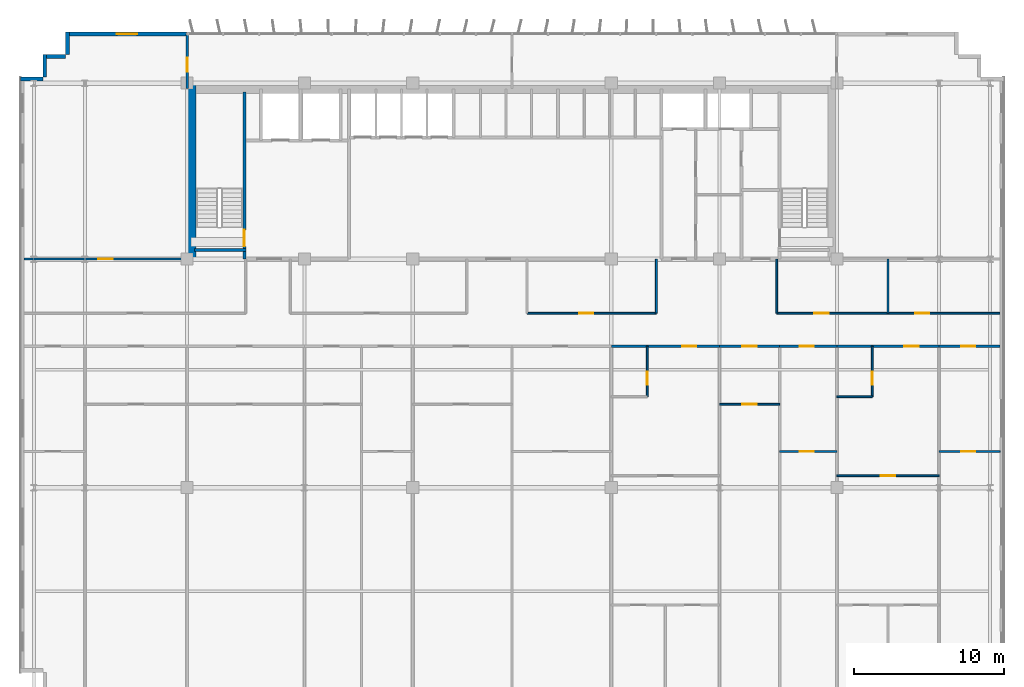
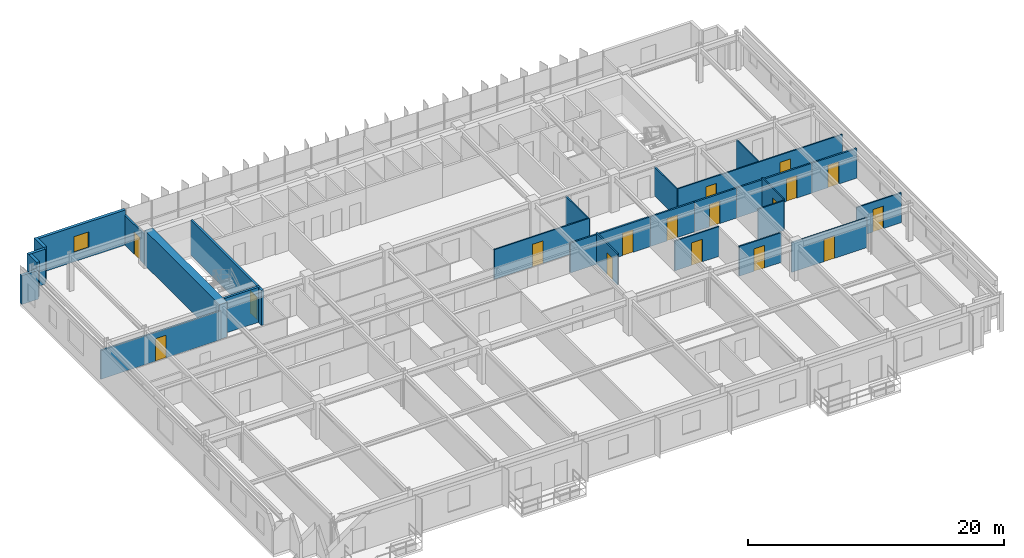
# One storey, part 16 of 21: 27 walls, 17 doors, 1 window, 18 openings.
"""IFC4 building model written with IfcOpenShell, lengths in metres."""

import ifcopenshell
import ifcopenshell.guid

model = None  # the IFC model being written
_history = None  # IfcOwnerHistory: only IFC2X3 demands one
_inside = {}  # id of a spatial element -> (the spatial element, [elements in it])
_under = {}  # id of a project, library or spatial element -> (it, [spatial elements below it])
_declared = {}  # id of a project -> (the project, [libraries it declares])
_typed = {}  # id of a type object -> (the type object, [elements of that type])
_made_of = {}  # id of a material, layer set ... -> (it, [elements and type objects made of it])


def new_model(schema):
    """Start an empty IFC model of exactly this schema.

    Asked for "IFC4X3", IfcOpenShell would pick the latest addendum, in which some entities
    have other attributes; the version numbers below select the first issue.
    IFC2X3 requires an IfcOwnerHistory on every rooted entity: one is made here for all.
    """
    global model, _history
    if schema == "IFC4X3":
        model = ifcopenshell.file(schema_version=(4, 3, 0, 0))
    else:
        model = ifcopenshell.file(schema=schema)
    _inside.clear()
    _under.clear()
    _declared.clear()
    _typed.clear()
    _made_of.clear()
    _history = None
    if model.schema == "IFC2X3":
        org = make("IfcOrganization", Name="unknown")
        user = make(
            "IfcPersonAndOrganization",
            ThePerson=make("IfcPerson", FamilyName="unknown"),
            TheOrganization=org,
        )
        app = make(
            "IfcApplication",
            ApplicationDeveloper=org,
            Version="unknown",
            ApplicationFullName="unknown",
            ApplicationIdentifier="unknown",
        )
        _history = make(
            "IfcOwnerHistory",
            OwningUser=user,
            OwningApplication=app,
            ChangeAction="ADDED",
            CreationDate=0,
        )
    return model


def make(cls, **values):
    """One entity of the class cls with the attributes given. An attribute that is None is left unset."""
    return model.create_entity(
        cls, **{name: value for name, value in values.items() if value is not None}
    )


def rooted(cls, **values):
    """An entity with a GlobalId (a new one), such as an element, a storey or a relation."""
    return make(cls, GlobalId=ifcopenshell.guid.new(), OwnerHistory=_history, **values)


def si_unit(unit_type, name, prefix=None):
    """IfcSIUnit, for example si_unit("LENGTHUNIT", "METRE", prefix="MILLI")."""
    return make("IfcSIUnit", UnitType=unit_type, Prefix=prefix, Name=name)


def assignment(units):
    """IfcUnitAssignment: the units of a project."""
    return None if units is None else make("IfcUnitAssignment", Units=units)


def point(xyz):
    """IfcCartesianPoint."""
    return None if xyz is None else make("IfcCartesianPoint", Coordinates=xyz)


def direction(xyz):
    """IfcDirection."""
    return None if xyz is None else make("IfcDirection", DirectionRatios=xyz)


def frame(location, z_axis=None, x_axis=None):
    """IfcAxis2Placement3D, a coordinate frame: its origin and axes. An axis left out is left unset."""
    return make(
        "IfcAxis2Placement3D",
        Location=point(location),
        Axis=direction(z_axis),
        RefDirection=direction(x_axis),
    )


def frame_2d(location, x_axis=None):
    """IfcAxis2Placement2D, a coordinate frame in the plane: its origin and x axis."""
    return make(
        "IfcAxis2Placement2D", Location=point(location), RefDirection=direction(x_axis)
    )


def origin():
    """The frame at (0, 0, 0) with its axes left unset."""
    return frame((0.0, 0.0, 0.0))


def place(relative_to, where):
    """IfcLocalPlacement: puts the frame where relative to a parent placement (None: the world)."""
    return make(
        "IfcLocalPlacement", PlacementRelTo=relative_to, RelativePlacement=where
    )


def context(
    kind, dimensions, precision=None, world=None, true_north=None, identifier=None
):
    """IfcGeometricRepresentationContext, for example the 3D "Model" context."""
    return make(
        "IfcGeometricRepresentationContext",
        ContextIdentifier=identifier,
        ContextType=kind,
        CoordinateSpaceDimension=dimensions,
        Precision=precision,
        WorldCoordinateSystem=world,
        TrueNorth=true_north,
    )


def subcontext(parent, identifier, kind, view, scale=None):
    """IfcGeometricRepresentationSubContext, for example "Body" below "Model"."""
    return make(
        "IfcGeometricRepresentationSubContext",
        ContextIdentifier=identifier,
        ContextType=kind,
        ParentContext=parent,
        TargetScale=scale,
        TargetView=view,
    )


def project(units=None, contexts=None):
    """IfcProject with its units and contexts."""
    return rooted(
        "IfcProject",
        Name="project",
        RepresentationContexts=contexts,
        UnitsInContext=assignment(units),
    )


def spatial(cls, under=None, at=None, **own):
    """A site, building, storey or space (cls), placed at a placement, below another one or the project."""
    s = rooted(cls, ObjectPlacement=at, **own)
    if under is not None:
        _under.setdefault(under.id(), (under, []))[1].append(s)
    return s


def profile(cls, at=None, kind="AREA", **sizes):
    """A parametric profile (cls). Its sizes go by their IFC names, for example OverallWidth=200.0."""
    return make(cls, ProfileType=kind, Position=at, **sizes)


def rectangle(**sizes):
    """IfcRectangleProfileDef."""
    return profile("IfcRectangleProfileDef", **sizes)


def extrude(swept, where, along, depth):
    """IfcExtrudedAreaSolid: the profile swept, set in the frame where, extruded along a direction by depth."""
    return make(
        "IfcExtrudedAreaSolid",
        SweptArea=swept,
        Position=where,
        ExtrudedDirection=direction(along),
        Depth=depth,
    )


def shape(context_of_items, identifier, shape_type, items):
    """IfcShapeRepresentation: the items that make up one representation, for example the "Body"."""
    return make(
        "IfcShapeRepresentation",
        ContextOfItems=context_of_items,
        RepresentationIdentifier=identifier,
        RepresentationType=shape_type,
        Items=items,
    )


def source(mapping_origin, context_of_items, identifier, shape_type, items):
    """IfcRepresentationMap: a shape defined once, which mapped items show again and again."""
    return make(
        "IfcRepresentationMap",
        MappingOrigin=mapping_origin,
        MappedRepresentation=shape(context_of_items, identifier, shape_type, items),
    )


def transform(
    local_origin,
    x_axis=None,
    y_axis=None,
    z_axis=None,
    scale=None,
    scale2=None,
    scale3=None,
    uniform=True,
):
    """IfcCartesianTransformationOperator3D, or its non-uniform kind. x_axis, y_axis, z_axis: its Axis1, 2, 3."""
    if uniform:
        return make(
            "IfcCartesianTransformationOperator3D",
            Axis1=direction(x_axis),
            Axis2=direction(y_axis),
            LocalOrigin=point(local_origin),
            Scale=scale,
            Axis3=direction(z_axis),
        )
    return make(
        "IfcCartesianTransformationOperator3DnonUniform",
        Axis1=direction(x_axis),
        Axis2=direction(y_axis),
        LocalOrigin=point(local_origin),
        Scale=scale,
        Axis3=direction(z_axis),
        Scale2=scale2,
        Scale3=scale3,
    )


def mapped(mapping_source, mapping_target):
    """IfcMappedItem: shows the shape of a source again, moved by a transform."""
    return make(
        "IfcMappedItem", MappingSource=mapping_source, MappingTarget=mapping_target
    )


def material(Name=None, Category=None):
    """IfcMaterial."""
    return make("IfcMaterial", Name=Name, Category=Category)


def layer(
    of_material, thickness, ventilated=None, Name=None, Category=None, Priority=None
):
    """IfcMaterialLayer: one layer of a wall or slab, of a material (None: an air gap)."""
    return make(
        "IfcMaterialLayer",
        Material=of_material,
        LayerThickness=thickness,
        IsVentilated=ventilated,
        Name=Name,
        Category=Category,
        Priority=Priority,
    )


def layer_set(layers, Name=None):
    """IfcMaterialLayerSet."""
    return make("IfcMaterialLayerSet", MaterialLayers=layers, LayerSetName=Name)


def made_of(thing, what):
    """Note that an element or type object is made of a material, layer set ...; save() writes the relation."""
    if what is not None:
        _made_of.setdefault(what.id(), (what, []))[1].append(thing)
    return thing


def type_object(cls, material=None, **own):
    """A type object (cls), such as IfcWallType, which elements share."""
    return made_of(rooted(cls, **own), material)


def element(
    cls,
    number,
    at=None,
    inside=None,
    cuts=None,
    type_object=None,
    material=None,
    context=None,
    identifier="Body",
    shape_type=None,
    held_by="IfcProductDefinitionShape",
    body=None,
    shapes=None,
    **own,
):
    """One element of the class cls, such as IfcWall. Its Tag is "e" and its number.

    at: its placement. inside: the storey or other place that contains it. cuts: it is an
    opening in that element (IfcRelVoidsElement). A single representation is given by context,
    identifier, shape_type and body (its items); several are given by shapes. held_by: the class
    of the entity that holds the representations. save() writes the other relations.
    """
    e = rooted(cls, Tag="e%d" % number, ObjectPlacement=at, **own)
    if body is not None:
        shapes = [shape(context, identifier, shape_type, body)]
    if shapes is not None:
        e.Representation = make(held_by, Representations=shapes)
    if inside is not None:
        _inside.setdefault(inside.id(), (inside, []))[1].append(e)
    if cuts is not None:
        rooted(
            "IfcRelVoidsElement", RelatingBuildingElement=cuts, RelatedOpeningElement=e
        )
    if type_object is not None:
        _typed.setdefault(type_object.id(), (type_object, []))[1].append(e)
    return made_of(e, material)


def fill(opening, filler):
    """IfcRelFillsElement: the door or window that sits in an opening."""
    return rooted(
        "IfcRelFillsElement",
        RelatingOpeningElement=opening,
        RelatedBuildingElement=filler,
    )


def aggregate(whole, parts):
    """IfcRelAggregates: a whole, such as a stair, and the parts it consists of."""
    return rooted("IfcRelAggregates", RelatingObject=whole, RelatedObjects=parts)


def save(model, path):
    """Write the relations noted so far, then the file.

    IfcRelAggregates (storeys below a building ...), IfcRelContainedInSpatialStructure (elements
    in a storey), IfcRelDefinesByType, IfcRelAssociatesMaterial and IfcRelDeclares: one each for
    every whole, place, type object, material and project.
    """
    for whole, parts in _under.values():
        aggregate(whole, parts)
    for where, things in _inside.values():
        rooted(
            "IfcRelContainedInSpatialStructure",
            RelatedElements=things,
            RelatingStructure=where,
        )
    for kind, things in _typed.values():
        rooted("IfcRelDefinesByType", RelatedObjects=things, RelatingType=kind)
    for what, things in _made_of.values():
        rooted("IfcRelAssociatesMaterial", RelatedObjects=things, RelatingMaterial=what)
    for by, libraries in _declared.values():
        rooted("IfcRelDeclares", RelatingContext=by, RelatedDefinitions=libraries)
    model.write(path)


model = new_model("IFC4")

# Units and contexts
model_context = context("Model", 3, precision=1e-05, world=origin(), true_north=direction((0.0, 1.0)))
body_context = subcontext(model_context, "Body", "Model", "MODEL_VIEW")
ifc_project = project(units=[si_unit("LENGTHUNIT", "METRE"), si_unit("AREAUNIT", "SQUARE_METRE"), si_unit("VOLUMEUNIT", "CUBIC_METRE"), si_unit("PLANEANGLEUNIT", "RADIAN"), si_unit("MASSUNIT", "GRAM", prefix="KILO")], contexts=[model_context])

# Site, building, storey
site_placement = place(None, origin())
site = spatial("IfcSite", under=ifc_project, at=site_placement, CompositionType="ELEMENT")
building_placement = place(site_placement, origin())
building = spatial("IfcBuilding", under=site, at=building_placement, Name="Trelvane Seafront Commons", CompositionType="ELEMENT")
storey_placement = place(building_placement, frame((0.0, 0.0, 106.89990234375)))
storey = spatial("IfcBuildingStorey", under=building, at=storey_placement, Name="L27", CompositionType="ELEMENT", Elevation=106.89990234375)

# Wall, opening, window
ifc_material_1 = material(Name="Precast concrete C40/50", Category="concrete")
ifc_layer_1 = layer(ifc_material_1, 0.260009765625, Name="ARCH-WALL-EXT260")
ifc_layer_set_1 = layer_set([ifc_layer_1], Name="Precast concrete C40/50")
wall_type_1 = type_object("IfcWallType", Name="ARCH-WALL-EXT260", PredefinedType="SOLIDWALL", material=ifc_layer_set_1)
wall_1_placement = place(storey_placement, frame((7.60009765625, 48.3701171875, 0.0), z_axis=(0.0, 0.0, 1.0), x_axis=(1.0, 0.0, 0.0)))
wall_1 = element("IfcWall", 1, at=wall_1_placement, inside=storey, type_object=wall_type_1, Name="EW-L27-NW-0496", PredefinedType="SOLIDWALL", context=body_context, shape_type="SweptSolid", body=[
    extrude(rectangle(XDim=8.0, YDim=0.260009765625, at=frame_2d((4.0, 0.0))), origin(), (0.0, 0.0, 1.0), 3.340087890625),
])
opening_1_placement = place(wall_1_placement, frame((3.324951171875, 0.0, 0.89990234375)))
opening_1 = element("IfcOpeningElement", 2, at=opening_1_placement, cuts=wall_1, Name="Opening W09", PredefinedType="OPENING", context=body_context, shape_type="SweptSolid", body=[
    extrude(rectangle(XDim=1.35009765625, YDim=1.5, at=frame_2d((0.675048828125, 0.75))), frame((0.0, 0.139892578125, 0.0), z_axis=(0.0, -1.0, 0.0), x_axis=(1.0, 0.0, 0.0)), (0.0, 0.0, 1.0), 0.280029296875),
])
ifc_material_2 = material(Name="Low-E coastal double glazing", Category="glass")
window_type = type_object("IfcWindowType", Name="ARCH-WIN-W09", PartitioningType="SINGLE_PANEL", PredefinedType="WINDOW", material=ifc_material_2)
shared_shape_1 = source(origin(), body_context, "Body", "SweptSolid", [
    extrude(rectangle(XDim=1.35009765625, YDim=1.5, at=frame_2d((0.675048828125, 0.75))), frame((0.0, 0.030029296875, 0.0), z_axis=(0.0, -1.0, 0.0), x_axis=(1.0, 0.0, 0.0)), (0.0, 0.0, 1.0), 0.06005859375),
])
window_placement = place(opening_1_placement, origin())
window = element("IfcWindow", 3, at=window_placement, inside=storey, type_object=window_type, Name="WIN-L27-00585", OverallHeight=1.5, OverallWidth=1.35009765625, PartitioningType="SINGLE_PANEL", PredefinedType="WINDOW", context=body_context, shape_type="MappedRepresentation", body=[
    mapped(shared_shape_1, transform((0.0, 0.0, 0.0), x_axis=(1.0, 0.0, 0.0), y_axis=(0.0, 1.0, 0.0), z_axis=(0.0, 0.0, 1.0), scale=1.0)),
])
fill(opening_1, window)

# Walls
wall_2_placement = place(storey_placement, frame((4.5, 45.3701171875, 0.0), z_axis=(0.0, 0.0, 1.0), x_axis=(1.0, 0.0, 0.0)))
element("IfcWall", 4, at=wall_2_placement, inside=storey, type_object=wall_type_1, Name="EW-L27-00502", PredefinedType="SOLIDWALL", context=body_context, shape_type="SweptSolid", body=[
    extrude(rectangle(XDim=1.5, YDim=0.260009765625, at=frame_2d((0.75, 0.0))), origin(), (0.0, 0.0, 1.0), 2.752197265625),
])
for number, where, z_axis, x_axis, name in (
    (5, (6.1298828125, 45.5, 0.0), (0.0, 0.0, 1.0), (0.0, 1.0, 0.0), "EW-L27-00503"),
    (6, (6.0, 46.8701171875, 0.0), (0.0, 0.0, 1.0), (1.0, 0.0, 0.0), "EW-L27-00504"),
    (7, (7.6298828125, 47.0, 0.0), (0.0, 0.0, 1.0), (0.0, 1.0, 0.0), "EW-L27-00505"),
):
    element("IfcWall", number, at=place(storey_placement, frame(where, z_axis=z_axis, x_axis=x_axis)), inside=storey, type_object=wall_type_1, Name=name, PredefinedType="SOLIDWALL", context=body_context, shape_type="SweptSolid", body=[
        extrude(rectangle(XDim=1.5, YDim=0.260009765625, at=frame_2d((0.75, 0.0))), origin(), (0.0, 0.0, 1.0), 3.340087890625),
    ])

# Wall, opening, door
ifc_material_3 = material(Name="Gypsum Drywall Acoustic Partition")
ifc_layer_2 = layer(ifc_material_3, 0.1201171875, Name="ARCH-WALL-PART120")
ifc_layer_set_2 = layer_set([ifc_layer_2], Name="Gypsum Drywall Acoustic Partition")
wall_type_2 = type_object("IfcWallType", Name="ARCH-WALL-PART120", PredefinedType="PARTITIONING", material=ifc_layer_set_2)
wall_3_placement = place(storey_placement, frame((38.199951171875, 29.800048828125, 0.0), z_axis=(0.0, 0.0, 1.0), x_axis=(1.0, 0.0, 0.0)))
wall_3 = element("IfcWall", 8, at=wall_3_placement, inside=storey, type_object=wall_type_2, Name="W-L27-CORR-N-M2-040", PredefinedType="PARTITIONING", context=body_context, shape_type="SweptSolid", body=[
    extrude(rectangle(XDim=8.60009765625, YDim=0.1201171875, at=frame_2d((4.300048828125, 0.0))), origin(), (0.0, 0.0, 1.0), 2.840087890625),
])
opening_2_placement = place(wall_3_placement, frame((3.4619140625, 0.0, 0.0)))
opening_2 = element("IfcOpeningElement", 9, at=opening_2_placement, cuts=wall_3, Name="Opening D-L27-20", PredefinedType="OPENING", context=body_context, shape_type="SweptSolid", body=[
    extrude(rectangle(XDim=0.949951171875, YDim=2.14990234375, at=frame_2d((0.47509765625, 1.074951171875))), frame((0.0, 0.070068359375, 0.0), z_axis=(0.0, -1.0, 0.0), x_axis=(1.0, 0.0, 0.0)), (0.0, 0.0, 1.0), 0.14013671875),
])
ifc_material_4 = material(Name="Acoustic timber door leaf", Category="wood")
door_type_1 = type_object("IfcDoorType", Name="ARCH-DR-INT950", OperationType="NOTDEFINED", PredefinedType="DOOR", material=ifc_material_4)
shared_shape_2 = source(origin(), body_context, "Body", "SweptSolid", [
    extrude(rectangle(XDim=0.949951171875, YDim=2.14990234375, at=frame_2d((0.47509765625, 1.074951171875))), frame((0.0, 0.02490234375, 0.0), z_axis=(0.0, -1.0, 0.0), x_axis=(1.0, 0.0, 0.0)), (0.0, 0.0, 1.0), 0.050048828125),
])
door_1_placement = place(opening_2_placement, origin())
door_1 = element("IfcDoor", 10, at=door_1_placement, inside=storey, type_object=door_type_1, Name="L27 Door 20", OperationType="SINGLE_SWING_RIGHT", OverallHeight=2.14990234375, OverallWidth=0.949951171875, PredefinedType="DOOR", context=body_context, shape_type="MappedRepresentation", body=[
    mapped(shared_shape_2, transform((0.0, 0.0, 0.0), x_axis=(1.0, 0.0, 0.0), y_axis=(0.0, 1.0, 0.0), z_axis=(0.0, 0.0, 1.0), scale=1.0)),
])
fill(opening_2, door_1)

# Wall, openings, doors
wall_4_placement = place(storey_placement, frame((54.800048828125, 29.800048828125, 0.0), z_axis=(0.0, 0.0, 1.0), x_axis=(1.0, 0.0, 0.0)))
wall_4 = element("IfcWall", 11, at=wall_4_placement, inside=storey, type_object=wall_type_2, Name="W-L27-CORR-N-E-041", PredefinedType="PARTITIONING", context=body_context, shape_type="SweptSolid", body=[
    extrude(rectangle(XDim=14.849853515625, YDim=0.1201171875, at=frame_2d((7.4248046875, 0.0))), origin(), (0.0, 0.0, 1.0), 2.840087890625),
])
opening_3_placement = place(wall_4_placement, frame((2.5, 0.0, 0.0)))
opening_3 = element("IfcOpeningElement", 12, at=opening_3_placement, cuts=wall_4, Name="Opening D-L27-21", PredefinedType="OPENING", context=body_context, shape_type="SweptSolid", body=[
    extrude(rectangle(XDim=0.949951171875, YDim=2.14990234375, at=frame_2d((0.47509765625, 1.074951171875))), frame((0.0, 0.070068359375, 0.0), z_axis=(0.0, -1.0, 0.0), x_axis=(1.0, 0.0, 0.0)), (0.0, 0.0, 1.0), 0.14013671875),
])
opening_4_placement = place(wall_4_placement, frame((9.199951171875, 0.0, 0.0)))
opening_4 = element("IfcOpeningElement", 13, at=opening_4_placement, cuts=wall_4, Name="Opening D-L27-22", PredefinedType="OPENING", context=body_context, shape_type="SweptSolid", body=[
    extrude(rectangle(XDim=0.949951171875, YDim=2.14990234375, at=frame_2d((0.47509765625, 1.074951171875))), frame((0.0, 0.070068359375, 0.0), z_axis=(0.0, -1.0, 0.0), x_axis=(1.0, 0.0, 0.0)), (0.0, 0.0, 1.0), 0.14013671875),
])
door_2_placement = place(opening_3_placement, origin())
door_2 = element("IfcDoor", 14, at=door_2_placement, inside=storey, type_object=door_type_1, Name="L27 Door 21", OperationType="SINGLE_SWING_LEFT", OverallHeight=2.14990234375, OverallWidth=0.949951171875, PredefinedType="DOOR", context=body_context, shape_type="MappedRepresentation", body=[
    mapped(shared_shape_2, transform((0.0, 0.0, 0.0), x_axis=(1.0, 0.0, 0.0), y_axis=(0.0, 1.0, 0.0), z_axis=(0.0, 0.0, 1.0), scale=1.0)),
])
fill(opening_3, door_2)
door_3_placement = place(opening_4_placement, origin())
door_3 = element("IfcDoor", 15, at=door_3_placement, inside=storey, type_object=door_type_1, Name="L27 Door 22", OperationType="SINGLE_SWING_RIGHT", OverallHeight=2.14990234375, OverallWidth=0.949951171875, PredefinedType="DOOR", context=body_context, shape_type="MappedRepresentation", body=[
    mapped(shared_shape_2, transform((0.0, 0.0, 0.0), x_axis=(1.0, 0.0, 0.0), y_axis=(0.0, 1.0, 0.0), z_axis=(0.0, 0.0, 1.0), scale=1.0)),
])
fill(opening_4, door_3)

# Walls
for number, where, z_axis, x_axis, name in (
    (16, (62.199951171875, 29.800048828125, 0.0), (0.0, 0.0, 1.0), (0.0, 1.0, 0.0), "W-L27-N-LAUN-DV-042"),
    (17, (46.800048828125, 29.800048828125, 0.0), (0.0, 0.0, 1.0), (0.0, 1.0, 0.0), "W-L27-N-SPUR-E1-047"),
    (18, (54.800048828125, 29.800048828125, 0.0), (0.0, 0.0, 1.0), (0.0, 1.0, 0.0), "W-L27-N-SPUR-E2-048"),
):
    element("IfcWall", number, at=place(storey_placement, frame(where, z_axis=z_axis, x_axis=x_axis)), inside=storey, type_object=wall_type_2, Name=name, PredefinedType="PARTITIONING", context=body_context, shape_type="SweptSolid", body=[
        extrude(rectangle(XDim=3.599853515625, YDim=0.1201171875, at=frame_2d((1.7998046875, 0.0))), origin(), (0.0, 0.0, 1.0), 2.752197265625),
    ])

# Wall, opening, door
wall_5_placement = place(storey_placement, frame((46.199951171875, 24.25, 0.0), z_axis=(0.0, 0.0, 1.0), x_axis=(0.0, 1.0, 0.0)))
wall_5 = element("IfcWall", 19, at=wall_5_placement, inside=storey, type_object=wall_type_2, Name="W-L27-U8-BE-080", PredefinedType="PARTITIONING", context=body_context, shape_type="SweptSolid", body=[
    extrude(rectangle(XDim=3.35009765625, YDim=0.1201171875, at=frame_2d((1.675048828125, 0.0))), origin(), (0.0, 0.0, 1.0), 2.989990234375),
])
opening_5_placement = place(wall_5_placement, frame((0.800048828125, 0.0, 0.0)))
opening_5 = element("IfcOpeningElement", 20, at=opening_5_placement, cuts=wall_5, Name="Opening D-L27-43", PredefinedType="OPENING", context=body_context, shape_type="SweptSolid", body=[
    extrude(rectangle(XDim=0.85009765625, YDim=2.10009765625, at=frame_2d((0.425048828125, 1.050048828125))), frame((0.0, 0.070068359375, 0.0), z_axis=(0.0, -1.0, 0.0), x_axis=(1.0, 0.0, 0.0)), (0.0, 0.0, 1.0), 0.14013671875),
])
door_type_2 = type_object("IfcDoorType", Name="ARCH-DR-INT850", OperationType="NOTDEFINED", PredefinedType="DOOR", material=ifc_material_4)
shared_shape_3 = source(origin(), body_context, "Body", "SweptSolid", [
    extrude(rectangle(XDim=0.85009765625, YDim=2.10009765625, at=frame_2d((0.425048828125, 1.050048828125))), frame((0.0, 0.02490234375, 0.0), z_axis=(0.0, -1.0, 0.0), x_axis=(1.0, 0.0, 0.0)), (0.0, 0.0, 1.0), 0.050048828125),
])
door_4_placement = place(opening_5_placement, origin())
door_4 = element("IfcDoor", 21, at=door_4_placement, inside=storey, type_object=door_type_2, Name="L27 Door 43", OperationType="SINGLE_SWING_LEFT", OverallHeight=2.10009765625, OverallWidth=0.85009765625, PredefinedType="DOOR", context=body_context, shape_type="MappedRepresentation", body=[
    mapped(shared_shape_3, transform((0.0, 0.0, 0.0), x_axis=(1.0, 0.0, 0.0), y_axis=(0.0, 1.0, 0.0), z_axis=(0.0, 0.0, 1.0), scale=1.0)),
])
fill(opening_5, door_4)

wall_6_placement = place(storey_placement, frame((51.0, 23.75, 0.0), z_axis=(0.0, 0.0, 1.0), x_axis=(1.0, 0.0, 0.0)))
wall_6 = element("IfcWall", 22, at=wall_6_placement, inside=storey, type_object=wall_type_2, Name="W-L27-U9-DIV-087", PredefinedType="PARTITIONING", context=body_context, shape_type="SweptSolid", body=[
    extrude(rectangle(XDim=4.0, YDim=0.1201171875, at=frame_2d((2.0, 0.0))), origin(), (0.0, 0.0, 1.0), 2.840087890625),
])
opening_6_placement = place(wall_6_placement, frame((1.52490234375, 0.0, 0.0)))
opening_6 = element("IfcOpeningElement", 23, at=opening_6_placement, cuts=wall_6, Name="Opening D-L27-48", PredefinedType="OPENING", context=body_context, shape_type="SweptSolid", body=[
    extrude(rectangle(XDim=0.949951171875, YDim=2.14990234375, at=frame_2d((0.47509765625, 1.074951171875))), frame((0.0, 0.070068359375, 0.0), z_axis=(0.0, -1.0, 0.0), x_axis=(1.0, 0.0, 0.0)), (0.0, 0.0, 1.0), 0.14013671875),
])
door_5_placement = place(opening_6_placement, origin())
door_5 = element("IfcDoor", 24, at=door_5_placement, inside=storey, type_object=door_type_1, Name="L27 Door 48", OperationType="SINGLE_SWING_RIGHT", OverallHeight=2.14990234375, OverallWidth=0.949951171875, PredefinedType="DOOR", context=body_context, shape_type="MappedRepresentation", body=[
    mapped(shared_shape_2, transform((0.0, 0.0, 0.0), x_axis=(1.0, 0.0, 0.0), y_axis=(0.0, 1.0, 0.0), z_axis=(0.0, 0.0, 1.0), scale=1.0)),
])
fill(opening_6, door_5)

wall_7_placement = place(storey_placement, frame((55.0, 20.60009765625, 0.0), z_axis=(0.0, 0.0, 1.0), x_axis=(1.0, 0.0, 0.0)))
wall_7 = element("IfcWall", 25, at=wall_7_placement, inside=storey, type_object=wall_type_2, Name="W-L27-U10-DIV-089", PredefinedType="PARTITIONING", context=body_context, shape_type="SweptSolid", body=[
    extrude(rectangle(XDim=3.800048828125, YDim=0.1201171875, at=frame_2d((1.89990234375, 0.0))), origin(), (0.0, 0.0, 1.0), 2.840087890625),
])
opening_7_placement = place(wall_7_placement, frame((1.330078125, 0.0, 0.0)))
opening_7 = element("IfcOpeningElement", 26, at=opening_7_placement, cuts=wall_7, Name="Opening D-L27-50", PredefinedType="OPENING", context=body_context, shape_type="SweptSolid", body=[
    extrude(rectangle(XDim=0.949951171875, YDim=2.14990234375, at=frame_2d((0.47509765625, 1.074951171875))), frame((0.0, 0.070068359375, 0.0), z_axis=(0.0, -1.0, 0.0), x_axis=(1.0, 0.0, 0.0)), (0.0, 0.0, 1.0), 0.14013671875),
])
door_6_placement = place(opening_7_placement, origin())
door_6 = element("IfcDoor", 27, at=door_6_placement, inside=storey, type_object=door_type_1, Name="L27 Door 50", OperationType="SINGLE_SWING_RIGHT", OverallHeight=2.14990234375, OverallWidth=0.949951171875, PredefinedType="DOOR", context=body_context, shape_type="MappedRepresentation", body=[
    mapped(shared_shape_2, transform((0.0, 0.0, 0.0), x_axis=(1.0, 0.0, 0.0), y_axis=(0.0, 1.0, 0.0), z_axis=(0.0, 0.0, 1.0), scale=1.0)),
])
fill(opening_7, door_6)

wall_8_placement = place(storey_placement, frame((58.800048828125, 19.0, 0.0), z_axis=(0.0, 0.0, 1.0), x_axis=(1.0, 0.0, 0.0)))
wall_8 = element("IfcWall", 28, at=wall_8_placement, inside=storey, type_object=wall_type_2, Name="W-L27-U11-KL-090", PredefinedType="PARTITIONING", context=body_context, shape_type="SweptSolid", body=[
    extrude(rectangle(XDim=6.800048828125, YDim=0.1201171875, at=frame_2d((3.39990234375, 0.0))), origin(), (0.0, 0.0, 1.0), 2.840087890625),
])
opening_8_placement = place(wall_8_placement, frame((2.925048828125, 0.0, 0.0)))
opening_8 = element("IfcOpeningElement", 29, at=opening_8_placement, cuts=wall_8, Name="Opening D-L27-51", PredefinedType="OPENING", context=body_context, shape_type="SweptSolid", body=[
    extrude(rectangle(XDim=0.949951171875, YDim=2.14990234375, at=frame_2d((0.47509765625, 1.074951171875))), frame((0.0, 0.070068359375, 0.0), z_axis=(0.0, -1.0, 0.0), x_axis=(1.0, 0.0, 0.0)), (0.0, 0.0, 1.0), 0.14013671875),
])
door_7_placement = place(opening_8_placement, origin())
door_7 = element("IfcDoor", 30, at=door_7_placement, inside=storey, type_object=door_type_1, Name="L27 Door 51", OperationType="SINGLE_SWING_LEFT", OverallHeight=2.14990234375, OverallWidth=0.949951171875, PredefinedType="DOOR", context=body_context, shape_type="MappedRepresentation", body=[
    mapped(shared_shape_2, transform((0.0, 0.0, 0.0), x_axis=(1.0, 0.0, 0.0), y_axis=(0.0, 1.0, 0.0), z_axis=(0.0, 0.0, 1.0), scale=1.0)),
])
fill(opening_8, door_7)

wall_9_placement = place(storey_placement, frame((61.162109375, 24.25, 0.0), z_axis=(0.0, 0.0, 1.0), x_axis=(0.0, 1.0, 0.0)))
wall_9 = element("IfcWall", 31, at=wall_9_placement, inside=storey, type_object=wall_type_2, Name="W-L27-U11-BE-091", PredefinedType="PARTITIONING", context=body_context, shape_type="SweptSolid", body=[
    extrude(rectangle(XDim=3.35009765625, YDim=0.1201171875, at=frame_2d((1.675048828125, 0.0))), origin(), (0.0, 0.0, 1.0), 2.989990234375),
])
opening_9_placement = place(wall_9_placement, frame((0.800048828125, 0.0, 0.0)))
opening_9 = element("IfcOpeningElement", 32, at=opening_9_placement, cuts=wall_9, Name="Opening D-L27-52", PredefinedType="OPENING", context=body_context, shape_type="SweptSolid", body=[
    extrude(rectangle(XDim=0.85009765625, YDim=2.10009765625, at=frame_2d((0.425048828125, 1.050048828125))), frame((0.0, 0.070068359375, 0.0), z_axis=(0.0, -1.0, 0.0), x_axis=(1.0, 0.0, 0.0)), (0.0, 0.0, 1.0), 0.14013671875),
])
door_8_placement = place(opening_9_placement, origin())
door_8 = element("IfcDoor", 33, at=door_8_placement, inside=storey, type_object=door_type_2, Name="L27 Door 52", OperationType="SINGLE_SWING_RIGHT", OverallHeight=2.10009765625, OverallWidth=0.85009765625, PredefinedType="DOOR", context=body_context, shape_type="MappedRepresentation", body=[
    mapped(shared_shape_3, transform((0.0, 0.0, 0.0), x_axis=(1.0, 0.0, 0.0), y_axis=(0.0, 1.0, 0.0), z_axis=(0.0, 0.0, 1.0), scale=1.0)),
])
fill(opening_9, door_8)

# Wall
wall_10_placement = place(storey_placement, frame((58.800048828125, 24.25, 0.0), z_axis=(0.0, 0.0, 1.0), x_axis=(1.0, 0.0, 0.0)))
element("IfcWall", 34, at=wall_10_placement, inside=storey, type_object=wall_type_2, Name="W-L27-U11-BS-092", PredefinedType="PARTITIONING", context=body_context, shape_type="SweptSolid", body=[
    extrude(rectangle(XDim=2.362060546875, YDim=0.1201171875, at=frame_2d((1.18115234375, 0.0))), origin(), (0.0, 0.0, 1.0), 2.840087890625),
])

# Wall, opening, door
wall_11_placement = place(storey_placement, frame((65.60009765625, 20.60009765625, 0.0), z_axis=(0.0, 0.0, 1.0), x_axis=(1.0, 0.0, 0.0)))
wall_11 = element("IfcWall", 35, at=wall_11_placement, inside=storey, type_object=wall_type_2, Name="W-L27-U12-DIV-098", PredefinedType="PARTITIONING", context=body_context, shape_type="SweptSolid", body=[
    extrude(rectangle(XDim=4.054931640625, YDim=0.1201171875, at=frame_2d((2.02734375, 0.0))), origin(), (0.0, 0.0, 1.0), 2.840087890625),
])
opening_10_placement = place(wall_11_placement, frame((1.4619140625, 0.0, 0.0)))
opening_10 = element("IfcOpeningElement", 36, at=opening_10_placement, cuts=wall_11, Name="Opening D-L27-57", PredefinedType="OPENING", context=body_context, shape_type="SweptSolid", body=[
    extrude(rectangle(XDim=0.949951171875, YDim=2.14990234375, at=frame_2d((0.47509765625, 1.074951171875))), frame((0.0, 0.070068359375, 0.0), z_axis=(0.0, -1.0, 0.0), x_axis=(1.0, 0.0, 0.0)), (0.0, 0.0, 1.0), 0.14013671875),
])
door_9_placement = place(opening_10_placement, origin())
door_9 = element("IfcDoor", 37, at=door_9_placement, inside=storey, type_object=door_type_1, Name="L27 Door 57", OperationType="SINGLE_SWING_LEFT", OverallHeight=2.14990234375, OverallWidth=0.949951171875, PredefinedType="DOOR", context=body_context, shape_type="MappedRepresentation", body=[
    mapped(shared_shape_2, transform((0.0, 0.0, 0.0), x_axis=(1.0, 0.0, 0.0), y_axis=(0.0, 1.0, 0.0), z_axis=(0.0, 0.0, 1.0), scale=1.0)),
])
fill(opening_10, door_9)

ifc_layer_3 = layer(ifc_material_3, 0.14990234375, Name="ARCH-WALL-PART150")
ifc_layer_set_3 = layer_set([ifc_layer_3], Name="Gypsum Drywall Acoustic Partition")
wall_type_3 = type_object("IfcWallType", Name="ARCH-WALL-PART150", PredefinedType="PARTITIONING", material=ifc_layer_set_3)
wall_12_placement = place(storey_placement, frame((4.75, 33.39990234375, 0.0), z_axis=(0.0, 0.0, 1.0), x_axis=(1.0, 0.0, 0.0)))
wall_12 = element("IfcWall", 38, at=wall_12_placement, inside=storey, type_object=wall_type_3, Name="W-L27-NW-ENT-049", PredefinedType="PARTITIONING", context=body_context, shape_type="SweptSolid", body=[
    extrude(rectangle(XDim=10.85009765625, YDim=0.14990234375, at=frame_2d((5.425048828125, 0.0))), origin(), (0.0, 0.0, 1.0), 2.752197265625),
])
opening_11_placement = place(wall_12_placement, frame((4.93994140625, 0.0, 0.0)))
opening_11 = element("IfcOpeningElement", 39, at=opening_11_placement, cuts=wall_12, Name="Opening FD-L27-23", PredefinedType="OPENING", context=body_context, shape_type="SweptSolid", body=[
    extrude(rectangle(XDim=0.949951171875, YDim=2.14990234375, at=frame_2d((0.47509765625, 1.074951171875))), frame((0.0, 0.0849609375, 0.0), z_axis=(0.0, -1.0, 0.0), x_axis=(1.0, 0.0, 0.0)), (0.0, 0.0, 1.0), 0.169921875),
])
ifc_material_5 = material(Name="Powder-coated aluminium frame", Category="aluminium")
door_type_3 = type_object("IfcDoorType", Name="ARCH-DR-FD60-950", OperationType="NOTDEFINED", PredefinedType="DOOR", material=ifc_material_5)
door_10_placement = place(opening_11_placement, origin())
door_10 = element("IfcDoor", 40, at=door_10_placement, inside=storey, type_object=door_type_3, Name="L27 NW Suite Entrance Door", OperationType="SINGLE_SWING_LEFT", OverallHeight=2.14990234375, OverallWidth=0.949951171875, PredefinedType="DOOR", context=body_context, shape_type="MappedRepresentation", body=[
    mapped(shared_shape_2, transform((0.0, 0.0, 0.0), x_axis=(1.0, 0.0, 0.0), y_axis=(0.0, 1.0, 0.0), z_axis=(0.0, 0.0, 1.0), scale=1.0)),
])
fill(opening_11, door_10)

wall_13_placement = place(storey_placement, frame((15.60009765625, 44.75, 0.0), z_axis=(0.0, 0.0, 1.0), x_axis=(0.0, 1.0, 0.0)))
wall_13 = element("IfcWall", 41, at=wall_13_placement, inside=storey, type_object=wall_type_3, Name="W-L27-N-LINK-W-052", PredefinedType="PARTITIONING", context=body_context, shape_type="SweptSolid", body=[
    extrude(rectangle(XDim=3.610107421875, YDim=0.14990234375, at=frame_2d((1.80517578125, 0.0))), origin(), (0.0, 0.0, 1.0), 2.840087890625),
])
opening_12_placement = place(wall_13_placement, frame((1.10009765625, 0.0, 0.0)))
opening_12 = element("IfcOpeningElement", 42, at=opening_12_placement, cuts=wall_13, Name="Opening FD-L27-26", PredefinedType="OPENING", context=body_context, shape_type="SweptSolid", body=[
    extrude(rectangle(XDim=0.949951171875, YDim=2.14990234375, at=frame_2d((0.47509765625, 1.074951171875))), frame((0.0, 0.0849609375, 0.0), z_axis=(0.0, -1.0, 0.0), x_axis=(1.0, 0.0, 0.0)), (0.0, 0.0, 1.0), 0.169921875),
])
door_11_placement = place(opening_12_placement, origin())
door_11 = element("IfcDoor", 43, at=door_11_placement, inside=storey, type_object=door_type_3, Name="L27 Door 26", OperationType="SINGLE_SWING_RIGHT", OverallHeight=2.14990234375, OverallWidth=0.949951171875, PredefinedType="DOOR", context=body_context, shape_type="MappedRepresentation", body=[
    mapped(shared_shape_2, transform((0.0, 0.0, 0.0), x_axis=(1.0, 0.0, 0.0), y_axis=(0.0, 1.0, 0.0), z_axis=(0.0, 0.0, 1.0), scale=1.0)),
])
fill(opening_12, door_11)

wall_14_placement = place(storey_placement, frame((43.800048828125, 27.60009765625, 0.0), z_axis=(0.0, 0.0, 1.0), x_axis=(1.0, 0.0, 0.0)))
wall_14 = element("IfcWall", 44, at=wall_14_placement, inside=storey, type_object=wall_type_3, Name="W-L27-CS-BAY-8-082", PredefinedType="PARTITIONING", context=body_context, shape_type="SweptSolid", body=[
    extrude(rectangle(XDim=7.199951171875, YDim=0.14990234375, at=frame_2d((3.60009765625, 0.0))), origin(), (0.0, 0.0, 1.0), 2.840087890625),
])
opening_13_placement = place(wall_14_placement, frame((4.7060546875, 0.0, 0.0)))
opening_13 = element("IfcOpeningElement", 45, at=opening_13_placement, cuts=wall_14, Name="Opening FD-L27-44", PredefinedType="OPENING", context=body_context, shape_type="SweptSolid", body=[
    extrude(rectangle(XDim=0.949951171875, YDim=2.14990234375, at=frame_2d((0.47509765625, 1.074951171875))), frame((0.0, 0.0849609375, 0.0), z_axis=(0.0, -1.0, 0.0), x_axis=(1.0, 0.0, 0.0)), (0.0, 0.0, 1.0), 0.169921875),
])
door_12_placement = place(opening_13_placement, origin())
door_12 = element("IfcDoor", 46, at=door_12_placement, inside=storey, type_object=door_type_3, Name="L27 Unit 08 Entrance Door", OperationType="SINGLE_SWING_RIGHT", OverallHeight=2.14990234375, OverallWidth=0.949951171875, PredefinedType="DOOR", context=body_context, shape_type="MappedRepresentation", body=[
    mapped(shared_shape_2, transform((0.0, 0.0, 0.0), x_axis=(1.0, 0.0, 0.0), y_axis=(0.0, 1.0, 0.0), z_axis=(0.0, 0.0, 1.0), scale=1.0)),
])
fill(opening_13, door_12)

wall_15_placement = place(storey_placement, frame((51.0, 27.60009765625, 0.0), z_axis=(0.0, 0.0, 1.0), x_axis=(1.0, 0.0, 0.0)))
wall_15 = element("IfcWall", 47, at=wall_15_placement, inside=storey, type_object=wall_type_3, Name="W-L27-CS-BAY-9-086", PredefinedType="PARTITIONING", context=body_context, shape_type="SweptSolid", body=[
    extrude(rectangle(XDim=4.0, YDim=0.14990234375, at=frame_2d((2.0, 0.0))), origin(), (0.0, 0.0, 1.0), 2.840087890625),
])
opening_14_placement = place(wall_15_placement, frame((1.52490234375, 0.0, 0.0)))
opening_14 = element("IfcOpeningElement", 48, at=opening_14_placement, cuts=wall_15, Name="Opening FD-L27-47", PredefinedType="OPENING", context=body_context, shape_type="SweptSolid", body=[
    extrude(rectangle(XDim=0.949951171875, YDim=2.14990234375, at=frame_2d((0.47509765625, 1.074951171875))), frame((0.0, 0.0849609375, 0.0), z_axis=(0.0, -1.0, 0.0), x_axis=(1.0, 0.0, 0.0)), (0.0, 0.0, 1.0), 0.169921875),
])
door_13_placement = place(opening_14_placement, origin())
door_13 = element("IfcDoor", 49, at=door_13_placement, inside=storey, type_object=door_type_3, Name="L27 Bay 09 Entrance Door", OperationType="SINGLE_SWING_LEFT", OverallHeight=2.14990234375, OverallWidth=0.949951171875, PredefinedType="DOOR", context=body_context, shape_type="MappedRepresentation", body=[
    mapped(shared_shape_2, transform((0.0, 0.0, 0.0), x_axis=(1.0, 0.0, 0.0), y_axis=(0.0, 1.0, 0.0), z_axis=(0.0, 0.0, 1.0), scale=1.0)),
])
fill(opening_14, door_13)

wall_16_placement = place(storey_placement, frame((55.0, 27.60009765625, 0.0), z_axis=(0.0, 0.0, 1.0), x_axis=(1.0, 0.0, 0.0)))
wall_16 = element("IfcWall", 50, at=wall_16_placement, inside=storey, type_object=wall_type_3, Name="W-L27-CS-BAY-10-088", PredefinedType="PARTITIONING", context=body_context, shape_type="SweptSolid", body=[
    extrude(rectangle(XDim=3.800048828125, YDim=0.14990234375, at=frame_2d((1.89990234375, 0.0))), origin(), (0.0, 0.0, 1.0), 2.840087890625),
])
opening_15_placement = place(wall_16_placement, frame((1.330078125, 0.0, 0.0)))
opening_15 = element("IfcOpeningElement", 51, at=opening_15_placement, cuts=wall_16, Name="Opening FD-L27-49", PredefinedType="OPENING", context=body_context, shape_type="SweptSolid", body=[
    extrude(rectangle(XDim=0.949951171875, YDim=2.14990234375, at=frame_2d((0.47509765625, 1.074951171875))), frame((0.0, 0.0849609375, 0.0), z_axis=(0.0, -1.0, 0.0), x_axis=(1.0, 0.0, 0.0)), (0.0, 0.0, 1.0), 0.169921875),
])
door_14_placement = place(opening_15_placement, origin())
door_14 = element("IfcDoor", 52, at=door_14_placement, inside=storey, type_object=door_type_3, Name="L27 Bay 10 Entrance Door", OperationType="SINGLE_SWING_LEFT", OverallHeight=2.14990234375, OverallWidth=0.949951171875, PredefinedType="DOOR", context=body_context, shape_type="MappedRepresentation", body=[
    mapped(shared_shape_2, transform((0.0, 0.0, 0.0), x_axis=(1.0, 0.0, 0.0), y_axis=(0.0, 1.0, 0.0), z_axis=(0.0, 0.0, 1.0), scale=1.0)),
])
fill(opening_15, door_14)

wall_17_placement = place(storey_placement, frame((58.800048828125, 27.60009765625, 0.0), z_axis=(0.0, 0.0, 1.0), x_axis=(1.0, 0.0, 0.0)))
wall_17 = element("IfcWall", 53, at=wall_17_placement, inside=storey, type_object=wall_type_3, Name="W-L27-CS-BAY-11-093", PredefinedType="PARTITIONING", context=body_context, shape_type="SweptSolid", body=[
    extrude(rectangle(XDim=6.800048828125, YDim=0.14990234375, at=frame_2d((3.39990234375, 0.0))), origin(), (0.0, 0.0, 1.0), 2.840087890625),
])
opening_16_placement = place(wall_17_placement, frame((4.489990234375, 0.0, 0.0)))
opening_16 = element("IfcOpeningElement", 54, at=opening_16_placement, cuts=wall_17, Name="Opening FD-L27-53", PredefinedType="OPENING", context=body_context, shape_type="SweptSolid", body=[
    extrude(rectangle(XDim=0.949951171875, YDim=2.14990234375, at=frame_2d((0.47509765625, 1.074951171875))), frame((0.0, 0.0849609375, 0.0), z_axis=(0.0, -1.0, 0.0), x_axis=(1.0, 0.0, 0.0)), (0.0, 0.0, 1.0), 0.169921875),
])
door_15_placement = place(opening_16_placement, origin())
door_15 = element("IfcDoor", 55, at=door_15_placement, inside=storey, type_object=door_type_3, Name="L27 Unit 11 Entrance Door", OperationType="SINGLE_SWING_LEFT", OverallHeight=2.14990234375, OverallWidth=0.949951171875, PredefinedType="DOOR", context=body_context, shape_type="MappedRepresentation", body=[
    mapped(shared_shape_2, transform((0.0, 0.0, 0.0), x_axis=(1.0, 0.0, 0.0), y_axis=(0.0, 1.0, 0.0), z_axis=(0.0, 0.0, 1.0), scale=1.0)),
])
fill(opening_16, door_15)

wall_18_placement = place(storey_placement, frame((65.60009765625, 27.60009765625, 0.0), z_axis=(0.0, 0.0, 1.0), x_axis=(1.0, 0.0, 0.0)))
wall_18 = element("IfcWall", 56, at=wall_18_placement, inside=storey, type_object=wall_type_3, Name="W-L27-CS-BAY-12-097", PredefinedType="PARTITIONING", context=body_context, shape_type="SweptSolid", body=[
    extrude(rectangle(XDim=4.054931640625, YDim=0.14990234375, at=frame_2d((2.02734375, 0.0))), origin(), (0.0, 0.0, 1.0), 2.840087890625),
])
opening_17_placement = place(wall_18_placement, frame((1.4619140625, 0.0, 0.0)))
opening_17 = element("IfcOpeningElement", 57, at=opening_17_placement, cuts=wall_18, Name="Opening FD-L27-56", PredefinedType="OPENING", context=body_context, shape_type="SweptSolid", body=[
    extrude(rectangle(XDim=0.949951171875, YDim=2.14990234375, at=frame_2d((0.47509765625, 1.074951171875))), frame((0.0, 0.0849609375, 0.0), z_axis=(0.0, -1.0, 0.0), x_axis=(1.0, 0.0, 0.0)), (0.0, 0.0, 1.0), 0.169921875),
])
door_16_placement = place(opening_17_placement, origin())
door_16 = element("IfcDoor", 58, at=door_16_placement, inside=storey, type_object=door_type_3, Name="L27 Bay 12 Entrance Door", OperationType="SINGLE_SWING_RIGHT", OverallHeight=2.14990234375, OverallWidth=0.949951171875, PredefinedType="DOOR", context=body_context, shape_type="MappedRepresentation", body=[
    mapped(shared_shape_2, transform((0.0, 0.0, 0.0), x_axis=(1.0, 0.0, 0.0), y_axis=(0.0, 1.0, 0.0), z_axis=(0.0, 0.0, 1.0), scale=1.0)),
])
fill(opening_17, door_16)

# Walls
ifc_material_6 = material(Name="Concrete C60/75", Category="concrete")
ifc_layer_4 = layer(ifc_material_6, 0.699951171875, Name="STR-WALL-CORE700")
ifc_layer_set_4 = layer_set([ifc_layer_4], Name="Concrete C60/75")
wall_type_4 = type_object("IfcWallType", Name="STR-WALL-CORE700", PredefinedType="SHEAR", material=ifc_layer_set_4)
wall_19_placement = place(storey_placement, frame((15.85009765625, 33.39990234375, 0.0), z_axis=(0.0, 0.0, 1.0), x_axis=(0.0, 1.0, 0.0)))
element("IfcWall", 59, at=wall_19_placement, inside=storey, type_object=wall_type_4, Name="W-L27-CW-END-002", PredefinedType="SHEAR", context=body_context, shape_type="SweptSolid", body=[
    extrude(rectangle(XDim=11.7001953125, YDim=0.699951171875, at=frame_2d((5.85009765625, 0.0))), origin(), (0.0, 0.0, 1.0), 3.340087890625),
])
ifc_material_7 = material(Name="Concrete C50/60", Category="concrete")
ifc_layer_5 = layer(ifc_material_7, 0.199951171875, Name="STR-WALL-STAIR200")
ifc_layer_set_5 = layer_set([ifc_layer_5], Name="Concrete C50/60")
wall_type_5 = type_object("IfcWallType", Name="STR-WALL-STAIR200", PredefinedType="SHEAR", material=ifc_layer_set_5)
wall_20_placement = place(storey_placement, frame((16.10009765625, 34.0, 0.0), z_axis=(0.0, 0.0, 1.0), x_axis=(1.0, 0.0, 0.0)))
element("IfcWall", 60, at=wall_20_placement, inside=storey, type_object=wall_type_5, Name="W-L27-ST1-S-004", PredefinedType="SHEAR", context=body_context, shape_type="SweptSolid", body=[
    extrude(rectangle(XDim=3.39990234375, YDim=0.199951171875, at=frame_2d((1.699951171875, 0.0))), origin(), (0.0, 0.0, 1.0), 3.340087890625),
])

# Wall, opening, door
wall_21_placement = place(storey_placement, frame((19.39990234375, 33.39990234375, 0.0), z_axis=(0.0, 0.0, 1.0), x_axis=(0.0, 1.0, 0.0)))
wall_21 = element("IfcWall", 61, at=wall_21_placement, inside=storey, type_object=wall_type_5, Name="W-L27-ST1-E-005", PredefinedType="SHEAR", context=body_context, shape_type="SweptSolid", body=[
    extrude(rectangle(XDim=11.10009765625, YDim=0.199951171875, at=frame_2d((5.550048828125, 0.0))), origin(), (0.0, 0.0, 1.0), 3.340087890625),
])
opening_18_placement = place(wall_21_placement, frame((0.85009765625, 0.0, 0.0)))
opening_18 = element("IfcOpeningElement", 62, at=opening_18_placement, cuts=wall_21, Name="Opening ST-D1-L27", PredefinedType="OPENING", context=body_context, shape_type="SweptSolid", body=[
    extrude(rectangle(XDim=1.10009765625, YDim=2.14990234375, at=frame_2d((0.550048828125, 1.074951171875))), frame((0.0, 0.10986328125, 0.0), z_axis=(0.0, -1.0, 0.0), x_axis=(1.0, 0.0, 0.0)), (0.0, 0.0, 1.0), 0.219970703125),
])
door_type_4 = type_object("IfcDoorType", Name="ARCH-DR-FD90-1100", OperationType="NOTDEFINED", PredefinedType="DOOR", material=ifc_material_5)
shared_shape_4 = source(origin(), body_context, "Body", "SweptSolid", [
    extrude(rectangle(XDim=1.10009765625, YDim=2.14990234375, at=frame_2d((0.550048828125, 1.074951171875))), frame((0.0, 0.02490234375, 0.0), z_axis=(0.0, -1.0, 0.0), x_axis=(1.0, 0.0, 0.0)), (0.0, 0.0, 1.0), 0.050048828125),
])
door_17_placement = place(opening_18_placement, origin())
door_17 = element("IfcDoor", 63, at=door_17_placement, inside=storey, type_object=door_type_4, Name="L27 Stair ST-1 Lobby Fire Door", OperationType="SINGLE_SWING_LEFT", OverallHeight=2.14990234375, OverallWidth=1.10009765625, PredefinedType="DOOR", context=body_context, shape_type="MappedRepresentation", body=[
    mapped(shared_shape_4, transform((0.0, 0.0, 0.0), x_axis=(1.0, 0.0, 0.0), y_axis=(0.0, 1.0, 0.0), z_axis=(0.0, 0.0, 1.0), scale=1.0)),
])
fill(opening_18, door_17)

save(model, "model.ifc")
